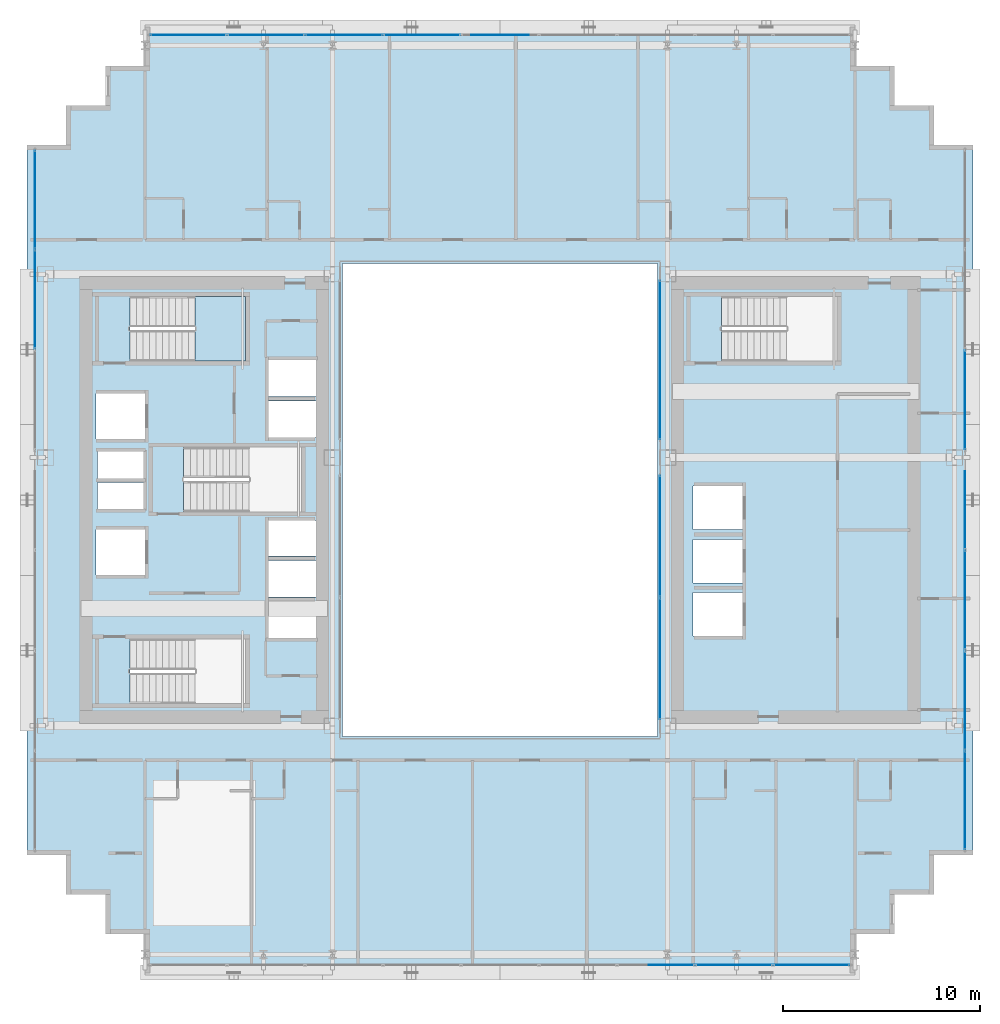
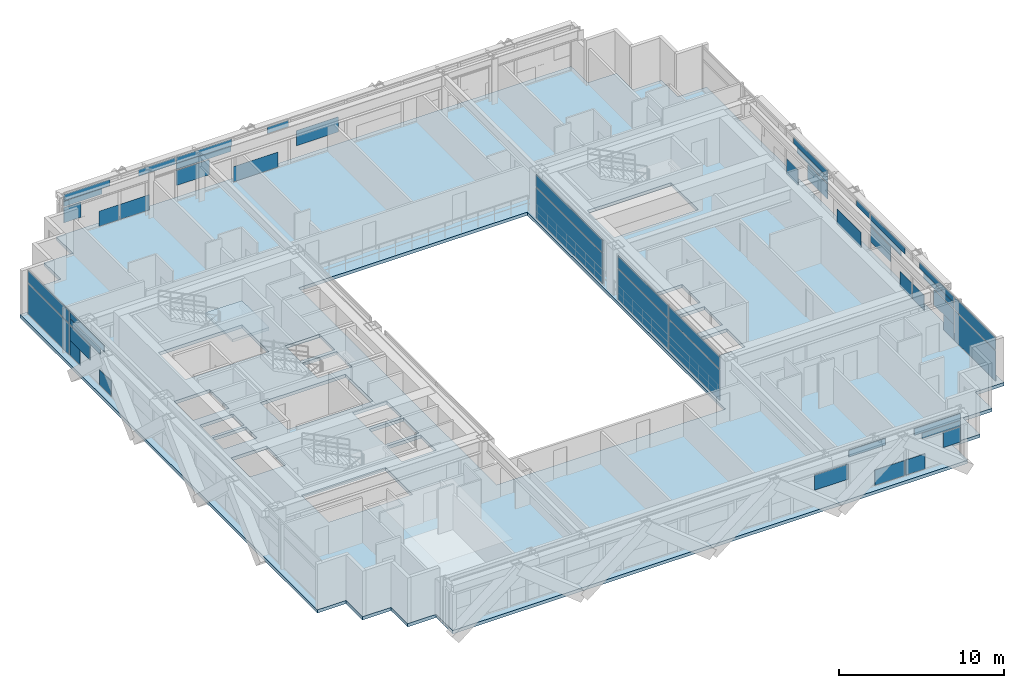
# One storey, part 27 of 39: 49 plates, 2 slabs, 7 elements without a shape of their own.
"""IFC4 building model written with IfcOpenShell, lengths in metres."""

from ifc_helpers import new_model, si_unit, direction, frame, origin, origin_2d, place, context, subcontext, project, spatial, polyline, rectangle, outline, extrude, source, transform, mapped, material, layer, layer_set, type_object, element, aggregate, save


model = new_model("IFC4")

# Units and contexts
model_context = context("Model", 3, precision=1e-05, world=origin(), true_north=direction((0.0, 1.0)))
body_context = subcontext(model_context, "Body", "Model", "MODEL_VIEW")
ifc_project = project(units=[si_unit("LENGTHUNIT", "METRE"), si_unit("AREAUNIT", "SQUARE_METRE"), si_unit("VOLUMEUNIT", "CUBIC_METRE"), si_unit("PLANEANGLEUNIT", "RADIAN"), si_unit("MASSUNIT", "GRAM", prefix="KILO")], contexts=[model_context])

# Site, building, storey
site_placement = place(None, origin())
site = spatial("IfcSite", under=ifc_project, at=site_placement, CompositionType="ELEMENT")
building_placement = place(site_placement, origin())
building = spatial("IfcBuilding", under=site, at=building_placement, Name="Ocotamira Hotel", CompositionType="ELEMENT")
storey_placement = place(building_placement, frame((0.0, 0.0, 126.0)))
storey = spatial("IfcBuildingStorey", under=building, at=storey_placement, Name="L31", CompositionType="ELEMENT", Elevation=126.0)

# Stair, slab
ifc_material_1 = material(Name="Concrete C40/50", Category="concrete")
stair_type = type_object("IfcStairType", Name="ST-CORE-1560", PredefinedType="HALF_TURN_STAIR", material=ifc_material_1)
stair_placement = place(storey_placement, origin())
stair = element("IfcStair", 1, at=stair_placement, inside=storey, type_object=stair_type, Name="L31 Exit Stair ST-2", PredefinedType="HALF_TURN_STAIR")
ifc_layer_1 = layer(ifc_material_1, 0.199951171875)
ifc_layer_set_1 = layer_set([ifc_layer_1], Name="Concrete C40/50")
slab_type_1 = type_object("IfcSlabType", Name="SLB-LAND-200", PredefinedType="LANDING", material=ifc_layer_set_1)
slab_1_placement = place(storey_placement, frame((0.0, 0.0, 1.60009765625)))
slab_1 = element("IfcSlab", 2, at=slab_1_placement, type_object=slab_type_1, Name="ST-2 landing 1", PredefinedType="LANDING", context=body_context, shape_type="SweptSolid", body=[
    extrude(outline(polyline([(16.530029296875, 33.050048828125), (19.090087890625, 33.050048828125), (19.090087890625, 36.330078125), (16.530029296875, 36.330078125), (16.530029296875, 33.050048828125)])), origin(), (0.0, 0.0, 1.0), 0.199951171875),
])
aggregate(stair, [slab_1])

# Slab
ifc_layer_2 = layer(ifc_material_1, 0.239990234375)
ifc_layer_set_2 = layer_set([ifc_layer_2], Name="Concrete C40/50")
slab_type_2 = type_object("IfcSlabType", Name="SLB-TYP-240", PredefinedType="FLOOR", material=ifc_layer_set_2)
slab_2_placement = place(storey_placement, frame((0.0, 0.0, -0.239990234375)))
element("IfcSlab", 3, at=slab_2_placement, inside=storey, type_object=slab_type_2, Name="L31 Structural Floor Slab", PredefinedType="FLOOR", context=body_context, shape_type="SweptSolid", body=[
    extrude(outline(polyline([(14.0, 2.0), (50.0, 2.0), (50.0, 4.0), (52.0, 4.0), (52.0, 6.0), (54.0, 6.0), (54.0, 8.0), (56.0, 8.0), (56.0, 44.0), (54.0, 44.0), (54.0, 46.0), (52.0, 46.0), (52.0, 48.0), (50.0, 48.0), (50.0, 50.0), (14.0, 50.0), (14.0, 48.0), (12.0, 48.0), (12.0, 46.0), (10.0, 46.0), (10.0, 44.0), (8.0, 44.0), (8.0, 8.0), (10.0, 8.0), (10.0, 6.0), (12.0, 6.0), (12.0, 4.0), (14.0, 4.0), (14.0, 2.0)]), holes=[polyline([(24.0, 14.0), (40.0, 14.0), (40.0, 38.0), (24.0, 38.0), (24.0, 14.0)]), polyline([(13.22998046875, 15.669921875), (19.090087890625, 15.669921875), (19.090087890625, 18.949951171875), (13.22998046875, 18.949951171875), (13.22998046875, 15.669921875)]), polyline([(13.22998046875, 33.050048828125), (19.090087890625, 33.050048828125), (19.090087890625, 36.330078125), (13.22998046875, 36.330078125), (13.22998046875, 33.050048828125)]), polyline([(15.9599609375, 25.39990234375), (21.919921875, 25.39990234375), (21.919921875, 28.679931640625), (15.9599609375, 28.679931640625), (15.9599609375, 25.39990234375)]), polyline([(43.22998046875, 33.050048828125), (49.090087890625, 33.050048828125), (49.090087890625, 36.330078125), (43.22998046875, 36.330078125), (43.22998046875, 33.050048828125)]), polyline([(41.800048828125, 19.10009765625), (44.300048828125, 19.10009765625), (44.300048828125, 21.300048828125), (41.800048828125, 21.300048828125), (41.800048828125, 19.10009765625)]), polyline([(41.800048828125, 21.800048828125), (44.300048828125, 21.800048828125), (44.300048828125, 24.0), (41.800048828125, 24.0), (41.800048828125, 21.800048828125)]), polyline([(41.800048828125, 24.5), (44.300048828125, 24.5), (44.300048828125, 26.699951171875), (41.800048828125, 26.699951171875), (41.800048828125, 24.5)]), polyline([(20.25, 19.0), (22.659912109375, 19.0), (22.659912109375, 20.85009765625), (20.25, 20.85009765625), (20.25, 19.0)]), polyline([(20.25, 21.080078125), (22.659912109375, 21.080078125), (22.659912109375, 22.929931640625), (20.25, 22.929931640625), (20.25, 21.080078125)]), polyline([(20.25, 23.159912109375), (22.659912109375, 23.159912109375), (22.659912109375, 24.9599609375), (20.25, 24.9599609375), (20.25, 23.159912109375)]), polyline([(20.25, 29.179931640625), (22.659912109375, 29.179931640625), (22.659912109375, 31.030029296875), (20.25, 31.030029296875), (20.25, 29.179931640625)]), polyline([(20.25, 31.260009765625), (22.659912109375, 31.260009765625), (22.659912109375, 33.110107421875), (20.25, 33.110107421875), (20.25, 31.260009765625)]), polyline([(11.5, 22.199951171875), (14.0, 22.199951171875), (14.0, 24.5), (11.5, 24.5), (11.5, 22.199951171875)]), polyline([(11.5, 29.10009765625), (14.0, 29.10009765625), (14.0, 31.39990234375), (11.5, 31.39990234375), (11.5, 29.10009765625)]), polyline([(11.580078125, 25.550048828125), (13.919921875, 25.550048828125), (13.919921875, 26.89990234375), (11.580078125, 26.89990234375), (11.580078125, 25.550048828125)]), polyline([(11.580078125, 27.10009765625), (13.919921875, 27.10009765625), (13.919921875, 28.449951171875), (11.580078125, 28.449951171875), (11.580078125, 27.10009765625)])]), origin(), (0.0, 0.0, 1.0), 0.239990234375),
])

# Curtain wall, plate
ifc_material_2 = material(Name="Anodised pale-metal aluminium and solar glass", Category="aluminium")
ifc_layer_3 = layer(ifc_material_2, 0.179931640625)
ifc_layer_set_3 = layer_set([ifc_layer_3], Name="Anodised pale-metal aluminium and solar glass")
curtain_wall_type_1 = type_object("IfcCurtainWallType", Name="CW-SYS3-Z2", PredefinedType="NOTDEFINED", material=ifc_layer_set_3)
curtain_wall_1_placement = place(storey_placement, origin())
curtain_wall_1 = element("IfcCurtainWall", 4, at=curtain_wall_1_placement, inside=storey, type_object=curtain_wall_type_1, Name="L31 Curtain Wall CW-3 CW-L31-W", PredefinedType="NOTDEFINED")
ifc_material_3 = material(Name="Double-silver low-E insulated solar glass", Category="glass")
ifc_layer_4 = layer(ifc_material_3, 0.031982421875)
ifc_layer_set_4 = layer_set([ifc_layer_4], Name="Double-silver low-E insulated solar glass")
plate_type = type_object("IfcPlateType", Name="CWP-VISION-32", PredefinedType="CURTAIN_PANEL", material=ifc_layer_set_4)
shared_shape_1 = source(origin(), body_context, "Body", "SweptSolid", [
    extrude(rectangle(XDim=4.9658203125, YDim=0.031982421875, at=origin_2d()), origin(), (0.0, 0.0, 1.0), 2.237548828125),
])
plate_1_placement = place(storey_placement, frame((8.419921875, 41.237060546875, 0.0751953125), z_axis=(0.0, 0.0, 1.0), x_axis=(0.0, 1.0, 0.0)))
plate_1 = element("IfcPlate", 5, at=plate_1_placement, type_object=plate_type, Name="CW-3 panel 7.1", PredefinedType="CURTAIN_PANEL", context=body_context, shape_type="MappedRepresentation", body=[
    mapped(shared_shape_1, transform((0.0, 0.0, 0.0), scale=1.0)),
])

curtain_wall_2_placement = place(storey_placement, origin())
curtain_wall_2 = element("IfcCurtainWall", 6, at=curtain_wall_2_placement, inside=storey, type_object=curtain_wall_type_1, Name="L31 Curtain Wall CW-3 CW-L31-E", PredefinedType="NOTDEFINED")
plate_2_placement = place(storey_placement, frame((55.580078125, 10.762939453125, 0.0751953125), z_axis=(0.0, 0.0, 1.0), x_axis=(0.0, 1.0, 0.0)))
plate_2 = element("IfcPlate", 7, at=plate_2_placement, type_object=plate_type, Name="CW-3 panel 1.1", PredefinedType="CURTAIN_PANEL", context=body_context, shape_type="MappedRepresentation", body=[
    mapped(shared_shape_1, transform((0.0, 0.0, 0.0), scale=1.0)),
])

# Curtain wall, plates
ifc_layer_5 = layer(ifc_material_2, 0.159912109375)
ifc_layer_set_5 = layer_set([ifc_layer_5], Name="Anodised pale-metal aluminium and solar glass")
curtain_wall_type_2 = type_object("IfcCurtainWallType", Name="CW-SYS6-ATR", PredefinedType="NOTDEFINED", material=ifc_layer_set_5)
curtain_wall_3_placement = place(storey_placement, origin())
curtain_wall_3 = element("IfcCurtainWall", 8, at=curtain_wall_3_placement, inside=storey, type_object=curtain_wall_type_2, Name="L31 Curtain Wall CW-6 CW-L31-ATRE1", PredefinedType="NOTDEFINED")
shared_shape_2 = source(origin(), body_context, "Body", "SweptSolid", [
    extrude(rectangle(XDim=6.1298828125, YDim=0.031982421875, at=origin_2d()), origin(), (0.0, 0.0, 1.0), 2.237548828125),
])
plate_3_placement = place(storey_placement, frame((40.1201171875, 17.945068359375, 0.0751953125), z_axis=(0.0, 0.0, 1.0), x_axis=(0.0, 1.0, 0.0)))
plate_3 = element("IfcPlate", 9, at=plate_3_placement, type_object=plate_type, Name="CW-6 panel 1.1", PredefinedType="CURTAIN_PANEL", context=body_context, shape_type="MappedRepresentation", body=[
    mapped(shared_shape_2, transform((0.0, 0.0, 0.0), scale=1.0)),
])
plate_4_placement = place(storey_placement, frame((40.1201171875, 24.155029296875, 0.0751953125), z_axis=(0.0, 0.0, 1.0), x_axis=(0.0, 1.0, 0.0)))
plate_4 = element("IfcPlate", 10, at=plate_4_placement, type_object=plate_type, Name="CW-6 panel 2.1", PredefinedType="CURTAIN_PANEL", context=body_context, shape_type="MappedRepresentation", body=[
    mapped(shared_shape_2, transform((0.0, 0.0, 0.0), scale=1.0)),
])

# Curtain wall, plate
curtain_wall_4_placement = place(storey_placement, origin())
curtain_wall_4 = element("IfcCurtainWall", 11, at=curtain_wall_4_placement, inside=storey, type_object=curtain_wall_type_2, Name="L31 Curtain Wall CW-6 CW-L31-ATRE2", PredefinedType="NOTDEFINED")
shared_shape_3 = source(origin(), body_context, "Body", "SweptSolid", [
    extrude(rectangle(XDim=8.0400390625, YDim=0.031982421875, at=origin_2d()), origin(), (0.0, 0.0, 1.0), 2.237548828125),
])
plate_5_placement = place(storey_placement, frame((40.1201171875, 33.10009765625, 0.0751953125), z_axis=(0.0, 0.0, 1.0), x_axis=(0.0, 1.0, 0.0)))
plate_5 = element("IfcPlate", 12, at=plate_5_placement, type_object=plate_type, Name="CW-6 panel 1.1", PredefinedType="CURTAIN_PANEL", context=body_context, shape_type="MappedRepresentation", body=[
    mapped(shared_shape_3, transform((0.0, 0.0, 0.0), scale=1.0)),
])

curtain_wall_5_placement = place(storey_placement, origin())
curtain_wall_5 = element("IfcCurtainWall", 13, at=curtain_wall_5_placement, inside=storey, type_object=curtain_wall_type_1, Name="L31 Curtain Wall CW-3 CW-L31-S1", PredefinedType="NOTDEFINED")
shared_shape_4 = source(origin(), body_context, "Body", "SweptSolid", [
    extrude(rectangle(XDim=1.184326171875, YDim=0.031982421875, at=origin_2d()), origin(), (0.0, 0.0, 1.0), 1.118896484375),
])
plate_6_placement = place(storey_placement, frame((49.127685546875, 2.419921875, 1.19384765625), z_axis=(0.0, 0.0, 1.0), x_axis=(1.0, 0.0, 0.0)))
plate_6 = element("IfcPlate", 14, at=plate_6_placement, type_object=plate_type, Name="CW-3 panel 9.1.2", PredefinedType="CURTAIN_PANEL", context=body_context, shape_type="MappedRepresentation", body=[
    mapped(shared_shape_4, transform((0.0, 0.0, 0.0), scale=1.0)),
])

curtain_wall_6_placement = place(storey_placement, origin())
curtain_wall_6 = element("IfcCurtainWall", 15, at=curtain_wall_6_placement, inside=storey, type_object=curtain_wall_type_1, Name="L31 Curtain Wall CW-3 CW-L31-N", PredefinedType="NOTDEFINED")
plate_7_placement = place(storey_placement, frame((14.872314453125, 49.580078125, 1.19384765625), z_axis=(0.0, 0.0, 1.0), x_axis=(1.0, 0.0, 0.0)))
plate_7 = element("IfcPlate", 16, at=plate_7_placement, type_object=plate_type, Name="CW-3 panel 1.1.1", PredefinedType="CURTAIN_PANEL", context=body_context, shape_type="MappedRepresentation", body=[
    mapped(shared_shape_4, transform((0.0, 0.0, 0.0), scale=1.0)),
])

# Plate
shared_shape_5 = source(origin(), body_context, "Body", "SweptSolid", [
    extrude(rectangle(XDim=1.37060546875, YDim=0.031982421875, at=origin_2d()), origin(), (0.0, 0.0, 1.0), 1.11865234375),
])
plate_8_placement = place(storey_placement, frame((46.569580078125, 2.419921875, 0.0751953125), z_axis=(0.0, 0.0, 1.0), x_axis=(1.0, 0.0, 0.0)))
plate_8 = element("IfcPlate", 17, at=plate_8_placement, type_object=plate_type, Name="CW-3 panel 9.1.1", PredefinedType="CURTAIN_PANEL", context=body_context, shape_type="MappedRepresentation", body=[
    mapped(shared_shape_5, transform((0.0, 0.0, 0.0), scale=1.0)),
])

plate_9_placement = place(storey_placement, frame((17.430419921875, 49.580078125, 0.0751953125), z_axis=(0.0, 0.0, 1.0), x_axis=(1.0, 0.0, 0.0)))
plate_9 = element("IfcPlate", 18, at=plate_9_placement, type_object=plate_type, Name="CW-3 panel 1.1.2", PredefinedType="CURTAIN_PANEL", context=body_context, shape_type="MappedRepresentation", body=[
    mapped(shared_shape_5, transform((0.0, 0.0, 0.0), scale=1.0)),
])

shared_shape_6 = source(origin(), body_context, "Body", "SweptSolid", [
    extrude(rectangle(XDim=2.676513671875, YDim=0.031982421875, at=origin_2d()), origin(), (0.0, 0.0, 1.0), 0.39453125),
])
plate_10_placement = place(storey_placement, frame((48.381591796875, 2.419921875, 2.387451171875), z_axis=(0.0, 0.0, 1.0), x_axis=(1.0, 0.0, 0.0)))
plate_10 = element("IfcPlate", 19, at=plate_10_placement, type_object=plate_type, Name="CW-3 panel 9.2.2", PredefinedType="CURTAIN_PANEL", context=body_context, shape_type="MappedRepresentation", body=[
    mapped(shared_shape_6, transform((0.0, 0.0, 0.0), scale=1.0)),
])

plate_11_placement = place(storey_placement, frame((15.618408203125, 49.580078125, 2.387451171875), z_axis=(0.0, 0.0, 1.0), x_axis=(1.0, 0.0, 0.0)))
plate_11 = element("IfcPlate", 20, at=plate_11_placement, type_object=plate_type, Name="CW-3 panel 1.2.1", PredefinedType="CURTAIN_PANEL", context=body_context, shape_type="MappedRepresentation", body=[
    mapped(shared_shape_6, transform((0.0, 0.0, 0.0), scale=1.0)),
])

shared_shape_7 = source(origin(), body_context, "Body", "SweptSolid", [
    extrude(rectangle(XDim=3.208740234375, YDim=0.031982421875, at=origin_2d()), origin(), (0.0, 0.0, 1.0), 0.4716796875),
])
plate_12_placement = place(storey_placement, frame((48.115478515625, 2.419921875, 2.813232421875), z_axis=(0.0, 0.0, 1.0), x_axis=(1.0, 0.0, 0.0)))
plate_12 = element("IfcPlate", 21, at=plate_12_placement, type_object=plate_type, Name="CW-3 panel 9.2.1", PredefinedType="CURTAIN_PANEL", context=body_context, shape_type="MappedRepresentation", body=[
    mapped(shared_shape_7, transform((0.0, 0.0, 0.0), scale=1.0)),
])

plate_13_placement = place(storey_placement, frame((15.884521484375, 49.580078125, 2.813232421875), z_axis=(0.0, 0.0, 1.0), x_axis=(1.0, 0.0, 0.0)))
plate_13 = element("IfcPlate", 22, at=plate_13_placement, type_object=plate_type, Name="CW-3 panel 1.2.2", PredefinedType="CURTAIN_PANEL", context=body_context, shape_type="MappedRepresentation", body=[
    mapped(shared_shape_7, transform((0.0, 0.0, 0.0), scale=1.0)),
])

shared_shape_8 = source(origin(), body_context, "Body", "SweptSolid", [
    extrude(rectangle(XDim=2.059326171875, YDim=0.031982421875, at=origin_2d()), origin(), (0.0, 0.0, 1.0), 1.11865234375),
])
plate_14_placement = place(storey_placement, frame((44.774658203125, 2.419921875, 0.0751953125), z_axis=(0.0, 0.0, 1.0), x_axis=(1.0, 0.0, 0.0)))
plate_14 = element("IfcPlate", 23, at=plate_14_placement, type_object=plate_type, Name="CW-3 panel 8.1.1", PredefinedType="CURTAIN_PANEL", context=body_context, shape_type="MappedRepresentation", body=[
    mapped(shared_shape_8, transform((0.0, 0.0, 0.0), scale=1.0)),
])

plate_15_placement = place(storey_placement, frame((19.225341796875, 49.580078125, 0.0751953125), z_axis=(0.0, 0.0, 1.0), x_axis=(1.0, 0.0, 0.0)))
plate_15 = element("IfcPlate", 24, at=plate_15_placement, type_object=plate_type, Name="CW-3 panel 2.1.1", PredefinedType="CURTAIN_PANEL", context=body_context, shape_type="MappedRepresentation", body=[
    mapped(shared_shape_8, transform((0.0, 0.0, 0.0), scale=1.0)),
])

shared_shape_9 = source(origin(), body_context, "Body", "SweptSolid", [
    extrude(rectangle(XDim=2.559814453125, YDim=0.031982421875, at=origin_2d()), origin(), (0.0, 0.0, 1.0), 0.4716796875),
])
plate_16_placement = place(storey_placement, frame((43.208740234375, 2.419921875, 2.813232421875), z_axis=(0.0, 0.0, 1.0), x_axis=(1.0, 0.0, 0.0)))
plate_16 = element("IfcPlate", 25, at=plate_16_placement, type_object=plate_type, Name="CW-3 panel 8.2.1", PredefinedType="CURTAIN_PANEL", context=body_context, shape_type="MappedRepresentation", body=[
    mapped(shared_shape_9, transform((0.0, 0.0, 0.0), scale=1.0)),
])

plate_17_placement = place(storey_placement, frame((20.791259765625, 49.580078125, 2.813232421875), z_axis=(0.0, 0.0, 1.0), x_axis=(1.0, 0.0, 0.0)))
plate_17 = element("IfcPlate", 26, at=plate_17_placement, type_object=plate_type, Name="CW-3 panel 2.2.1", PredefinedType="CURTAIN_PANEL", context=body_context, shape_type="MappedRepresentation", body=[
    mapped(shared_shape_9, transform((0.0, 0.0, 0.0), scale=1.0)),
])

shared_shape_10 = source(origin(), body_context, "Body", "SweptSolid", [
    extrude(rectangle(XDim=2.313232421875, YDim=0.031982421875, at=origin_2d()), origin(), (0.0, 0.0, 1.0), 1.118896484375),
])
plate_18_placement = place(storey_placement, frame((40.6923828125, 2.419921875, 1.19384765625), z_axis=(0.0, 0.0, 1.0), x_axis=(1.0, 0.0, 0.0)))
plate_18 = element("IfcPlate", 27, at=plate_18_placement, type_object=plate_type, Name="CW-3 panel 7.1.1", PredefinedType="CURTAIN_PANEL", context=body_context, shape_type="MappedRepresentation", body=[
    mapped(shared_shape_10, transform((0.0, 0.0, 0.0), scale=1.0)),
])

aggregate(curtain_wall_5, [plate_18, plate_14, plate_16, plate_8, plate_6, plate_12, plate_10])

plate_19_placement = place(storey_placement, frame((23.3076171875, 49.580078125, 1.19384765625), z_axis=(0.0, 0.0, 1.0), x_axis=(1.0, 0.0, 0.0)))
plate_19 = element("IfcPlate", 28, at=plate_19_placement, type_object=plate_type, Name="CW-3 panel 3.1.1", PredefinedType="CURTAIN_PANEL", context=body_context, shape_type="MappedRepresentation", body=[
    mapped(shared_shape_10, transform((0.0, 0.0, 0.0), scale=1.0)),
])

shared_shape_11 = source(origin(), body_context, "Body", "SweptSolid", [
    extrude(rectangle(XDim=3.805419921875, YDim=0.031982421875, at=origin_2d()), origin(), (0.0, 0.0, 1.0), 0.42578125),
])
plate_20_placement = place(storey_placement, frame((24.0537109375, 49.580078125, 2.387451171875), z_axis=(0.0, 0.0, 1.0), x_axis=(1.0, 0.0, 0.0)))
plate_20 = element("IfcPlate", 29, at=plate_20_placement, type_object=plate_type, Name="CW-3 panel 3.2.1", PredefinedType="CURTAIN_PANEL", context=body_context, shape_type="MappedRepresentation", body=[
    mapped(shared_shape_11, transform((0.0, 0.0, 0.0), scale=1.0)),
])

shared_shape_12 = source(origin(), body_context, "Body", "SweptSolid", [
    extrude(rectangle(XDim=3.87548828125, YDim=0.031982421875, at=origin_2d()), origin(), (0.0, 0.0, 1.0), 0.4716796875),
])
plate_21_placement = place(storey_placement, frame((24.0888671875, 49.580078125, 2.813232421875), z_axis=(0.0, 0.0, 1.0), x_axis=(1.0, 0.0, 0.0)))
plate_21 = element("IfcPlate", 30, at=plate_21_placement, type_object=plate_type, Name="CW-3 panel 3.2.2", PredefinedType="CURTAIN_PANEL", context=body_context, shape_type="MappedRepresentation", body=[
    mapped(shared_shape_12, transform((0.0, 0.0, 0.0), scale=1.0)),
])

shared_shape_13 = source(origin(), body_context, "Body", "SweptSolid", [
    extrude(rectangle(XDim=3.148193359375, YDim=0.031982421875, at=origin_2d()), origin(), (0.0, 0.0, 1.0), 1.11865234375),
])
plate_22_placement = place(storey_placement, frame((27.680908203125, 49.580078125, 0.0751953125), z_axis=(0.0, 0.0, 1.0), x_axis=(1.0, 0.0, 0.0)))
plate_22 = element("IfcPlate", 31, at=plate_22_placement, type_object=plate_type, Name="CW-3 panel 4.1.1", PredefinedType="CURTAIN_PANEL", context=body_context, shape_type="MappedRepresentation", body=[
    mapped(shared_shape_13, transform((0.0, 0.0, 0.0), scale=1.0)),
])

shared_shape_14 = source(origin(), body_context, "Body", "SweptSolid", [
    extrude(rectangle(XDim=1.470947265625, YDim=0.031982421875, at=origin_2d()), origin(), (0.0, 0.0, 1.0), 0.4716796875),
])
plate_23_placement = place(storey_placement, frame((29.24658203125, 49.580078125, 2.813232421875), z_axis=(0.0, 0.0, 1.0), x_axis=(1.0, 0.0, 0.0)))
plate_23 = element("IfcPlate", 32, at=plate_23_placement, type_object=plate_type, Name="CW-3 panel 4.2.1", PredefinedType="CURTAIN_PANEL", context=body_context, shape_type="MappedRepresentation", body=[
    mapped(shared_shape_14, transform((0.0, 0.0, 0.0), scale=1.0)),
])

shared_shape_15 = source(origin(), body_context, "Body", "SweptSolid", [
    extrude(rectangle(XDim=2.9287109375, YDim=0.031982421875, at=origin_2d()), origin(), (0.0, 0.0, 1.0), 1.118896484375),
])
plate_24_placement = place(storey_placement, frame((32.0, 49.580078125, 1.19384765625), z_axis=(0.0, 0.0, 1.0), x_axis=(1.0, 0.0, 0.0)))
plate_24 = element("IfcPlate", 33, at=plate_24_placement, type_object=plate_type, Name="CW-3 panel 5.1.1", PredefinedType="CURTAIN_PANEL", context=body_context, shape_type="MappedRepresentation", body=[
    mapped(shared_shape_15, transform((0.0, 0.0, 0.0), scale=1.0)),
])

aggregate(curtain_wall_6, [plate_7, plate_9, plate_11, plate_13, plate_15, plate_17, plate_19, plate_20, plate_21, plate_22, plate_23, plate_24])

shared_shape_16 = source(origin(), body_context, "Body", "SweptSolid", [
    extrude(rectangle(XDim=4.9658203125, YDim=0.031982421875, at=origin_2d()), origin(), (0.0, 0.0, 1.0), 0.8974609375),
])
plate_25_placement = place(storey_placement, frame((8.419921875, 41.237060546875, 2.387451171875), z_axis=(0.0, 0.0, 1.0), x_axis=(0.0, 1.0, 0.0)))
plate_25 = element("IfcPlate", 34, at=plate_25_placement, type_object=plate_type, Name="CW-3 panel 7.2", PredefinedType="CURTAIN_PANEL", context=body_context, shape_type="MappedRepresentation", body=[
    mapped(shared_shape_16, transform((0.0, 0.0, 0.0), scale=1.0)),
])

plate_26_placement = place(storey_placement, frame((55.580078125, 10.762939453125, 2.387451171875), z_axis=(0.0, 0.0, 1.0), x_axis=(0.0, 1.0, 0.0)))
plate_26 = element("IfcPlate", 35, at=plate_26_placement, type_object=plate_type, Name="CW-3 panel 1.2", PredefinedType="CURTAIN_PANEL", context=body_context, shape_type="MappedRepresentation", body=[
    mapped(shared_shape_16, transform((0.0, 0.0, 0.0), scale=1.0)),
])

shared_shape_17 = source(origin(), body_context, "Body", "SweptSolid", [
    extrude(rectangle(XDim=1.240234375, YDim=0.031982421875, at=origin_2d()), origin(), (0.0, 0.0, 1.0), 1.11865234375),
])
plate_27_placement = place(storey_placement, frame((8.419921875, 38.05419921875, 0.0751953125), z_axis=(0.0, 0.0, 1.0), x_axis=(0.0, 1.0, 0.0)))
plate_27 = element("IfcPlate", 36, at=plate_27_placement, type_object=plate_type, Name="CW-3 panel 6.1.3", PredefinedType="CURTAIN_PANEL", context=body_context, shape_type="MappedRepresentation", body=[
    mapped(shared_shape_17, transform((0.0, 0.0, 0.0), scale=1.0)),
])

plate_28_placement = place(storey_placement, frame((55.580078125, 13.94580078125, 0.0751953125), z_axis=(0.0, 0.0, 1.0), x_axis=(0.0, 1.0, 0.0)))
plate_28 = element("IfcPlate", 37, at=plate_28_placement, type_object=plate_type, Name="CW-3 panel 2.1.1", PredefinedType="CURTAIN_PANEL", context=body_context, shape_type="MappedRepresentation", body=[
    mapped(shared_shape_17, transform((0.0, 0.0, 0.0), scale=1.0)),
])

shared_shape_18 = source(origin(), body_context, "Body", "SweptSolid", [
    extrude(rectangle(XDim=2.426513671875, YDim=0.031982421875, at=origin_2d()), origin(), (0.0, 0.0, 1.0), 1.118896484375),
])
plate_29_placement = place(storey_placement, frame((8.419921875, 37.461181640625, 1.19384765625), z_axis=(0.0, 0.0, 1.0), x_axis=(0.0, 1.0, 0.0)))
plate_29 = element("IfcPlate", 38, at=plate_29_placement, type_object=plate_type, Name="CW-3 panel 6.1.2", PredefinedType="CURTAIN_PANEL", context=body_context, shape_type="MappedRepresentation", body=[
    mapped(shared_shape_18, transform((0.0, 0.0, 0.0), scale=1.0)),
])

plate_30_placement = place(storey_placement, frame((55.580078125, 14.538818359375, 1.19384765625), z_axis=(0.0, 0.0, 1.0), x_axis=(0.0, 1.0, 0.0)))
plate_30 = element("IfcPlate", 39, at=plate_30_placement, type_object=plate_type, Name="CW-3 panel 2.1.2", PredefinedType="CURTAIN_PANEL", context=body_context, shape_type="MappedRepresentation", body=[
    mapped(shared_shape_18, transform((0.0, 0.0, 0.0), scale=1.0)),
])

shared_shape_19 = source(origin(), body_context, "Body", "SweptSolid", [
    extrude(rectangle(XDim=1.413330078125, YDim=0.031982421875, at=origin_2d()), origin(), (0.0, 0.0, 1.0), 1.11865234375),
])
plate_31_placement = place(storey_placement, frame((8.419921875, 34.375244140625, 0.0751953125), z_axis=(0.0, 0.0, 1.0), x_axis=(0.0, 1.0, 0.0)))
plate_31 = element("IfcPlate", 40, at=plate_31_placement, type_object=plate_type, Name="CW-3 panel 6.1.1", PredefinedType="CURTAIN_PANEL", context=body_context, shape_type="MappedRepresentation", body=[
    mapped(shared_shape_19, transform((0.0, 0.0, 0.0), scale=1.0)),
])

plate_32_placement = place(storey_placement, frame((55.580078125, 17.624755859375, 0.0751953125), z_axis=(0.0, 0.0, 1.0), x_axis=(0.0, 1.0, 0.0)))
plate_32 = element("IfcPlate", 41, at=plate_32_placement, type_object=plate_type, Name="CW-3 panel 2.1.3", PredefinedType="CURTAIN_PANEL", context=body_context, shape_type="MappedRepresentation", body=[
    mapped(shared_shape_19, transform((0.0, 0.0, 0.0), scale=1.0)),
])

shared_shape_20 = source(origin(), body_context, "Body", "SweptSolid", [
    extrude(rectangle(XDim=3.69189453125, YDim=0.031982421875, at=origin_2d()), origin(), (0.0, 0.0, 1.0), 0.414306640625),
])
plate_33_placement = place(storey_placement, frame((8.419921875, 36.828369140625, 2.3876953125), z_axis=(0.0, 0.0, 1.0), x_axis=(0.0, 1.0, 0.0)))
plate_33 = element("IfcPlate", 42, at=plate_33_placement, type_object=plate_type, Name="CW-3 panel 6.2.2", PredefinedType="CURTAIN_PANEL", context=body_context, shape_type="MappedRepresentation", body=[
    mapped(shared_shape_20, transform((0.0, 0.0, 0.0), scale=1.0)),
])

plate_34_placement = place(storey_placement, frame((55.580078125, 15.171630859375, 2.3876953125), z_axis=(0.0, 0.0, 1.0), x_axis=(0.0, 1.0, 0.0)))
plate_34 = element("IfcPlate", 43, at=plate_34_placement, type_object=plate_type, Name="CW-3 panel 2.2.1", PredefinedType="CURTAIN_PANEL", context=body_context, shape_type="MappedRepresentation", body=[
    mapped(shared_shape_20, transform((0.0, 0.0, 0.0), scale=1.0)),
])

shared_shape_21 = source(origin(), body_context, "Body", "SweptSolid", [
    extrude(rectangle(XDim=4.16748046875, YDim=0.031982421875, at=origin_2d()), origin(), (0.0, 0.0, 1.0), 0.44873046875),
])
plate_35_placement = place(storey_placement, frame((8.419921875, 36.590576171875, 2.836181640625), z_axis=(0.0, 0.0, 1.0), x_axis=(0.0, 1.0, 0.0)))
plate_35 = element("IfcPlate", 44, at=plate_35_placement, type_object=plate_type, Name="CW-3 panel 6.2.1", PredefinedType="CURTAIN_PANEL", context=body_context, shape_type="MappedRepresentation", body=[
    mapped(shared_shape_21, transform((0.0, 0.0, 0.0), scale=1.0)),
])

aggregate(curtain_wall_1, [plate_31, plate_29, plate_27, plate_35, plate_33, plate_1, plate_25])

plate_36_placement = place(storey_placement, frame((55.580078125, 15.409423828125, 2.836181640625), z_axis=(0.0, 0.0, 1.0), x_axis=(0.0, 1.0, 0.0)))
plate_36 = element("IfcPlate", 45, at=plate_36_placement, type_object=plate_type, Name="CW-3 panel 2.2.2", PredefinedType="CURTAIN_PANEL", context=body_context, shape_type="MappedRepresentation", body=[
    mapped(shared_shape_21, transform((0.0, 0.0, 0.0), scale=1.0)),
])

shared_shape_22 = source(origin(), body_context, "Body", "SweptSolid", [
    extrude(rectangle(XDim=1.40380859375, YDim=0.031982421875, at=origin_2d()), origin(), (0.0, 0.0, 1.0), 1.11865234375),
])
plate_37_placement = place(storey_placement, frame((55.580078125, 19.11328125, 0.0751953125), z_axis=(0.0, 0.0, 1.0), x_axis=(0.0, 1.0, 0.0)))
plate_37 = element("IfcPlate", 46, at=plate_37_placement, type_object=plate_type, Name="CW-3 panel 3.1.1", PredefinedType="CURTAIN_PANEL", context=body_context, shape_type="MappedRepresentation", body=[
    mapped(shared_shape_22, transform((0.0, 0.0, 0.0), scale=1.0)),
])

plate_38_placement = place(storey_placement, frame((55.580078125, 32.88671875, 0.0751953125), z_axis=(0.0, 0.0, 1.0), x_axis=(0.0, 1.0, 0.0)))
plate_38 = element("IfcPlate", 47, at=plate_38_placement, type_object=plate_type, Name="CW-3 panel 5.1.2", PredefinedType="CURTAIN_PANEL", context=body_context, shape_type="MappedRepresentation", body=[
    mapped(shared_shape_22, transform((0.0, 0.0, 0.0), scale=1.0)),
])

shared_shape_23 = source(origin(), body_context, "Body", "SweptSolid", [
    extrude(rectangle(XDim=2.404296875, YDim=0.031982421875, at=origin_2d()), origin(), (0.0, 0.0, 1.0), 1.118896484375),
])
plate_39_placement = place(storey_placement, frame((55.580078125, 22.183349609375, 1.19384765625), z_axis=(0.0, 0.0, 1.0), x_axis=(0.0, 1.0, 0.0)))
plate_39 = element("IfcPlate", 48, at=plate_39_placement, type_object=plate_type, Name="CW-3 panel 3.1.2", PredefinedType="CURTAIN_PANEL", context=body_context, shape_type="MappedRepresentation", body=[
    mapped(shared_shape_23, transform((0.0, 0.0, 0.0), scale=1.0)),
])

plate_40_placement = place(storey_placement, frame((55.580078125, 29.816650390625, 1.19384765625), z_axis=(0.0, 0.0, 1.0), x_axis=(0.0, 1.0, 0.0)))
plate_40 = element("IfcPlate", 49, at=plate_40_placement, type_object=plate_type, Name="CW-3 panel 5.1.1", PredefinedType="CURTAIN_PANEL", context=body_context, shape_type="MappedRepresentation", body=[
    mapped(shared_shape_23, transform((0.0, 0.0, 0.0), scale=1.0)),
])

shared_shape_24 = source(origin(), body_context, "Body", "SweptSolid", [
    extrude(rectangle(XDim=4.17724609375, YDim=0.031982421875, at=origin_2d()), origin(), (0.0, 0.0, 1.0), 0.44873046875),
])
plate_41_placement = place(storey_placement, frame((55.580078125, 21.32861328125, 2.836181640625), z_axis=(0.0, 0.0, 1.0), x_axis=(0.0, 1.0, 0.0)))
plate_41 = element("IfcPlate", 50, at=plate_41_placement, type_object=plate_type, Name="CW-3 panel 3.2.1", PredefinedType="CURTAIN_PANEL", context=body_context, shape_type="MappedRepresentation", body=[
    mapped(shared_shape_24, transform((0.0, 0.0, 0.0), scale=1.0)),
])

plate_42_placement = place(storey_placement, frame((55.580078125, 30.67138671875, 2.836181640625), z_axis=(0.0, 0.0, 1.0), x_axis=(0.0, 1.0, 0.0)))
plate_42 = element("IfcPlate", 51, at=plate_42_placement, type_object=plate_type, Name="CW-3 panel 5.2.2", PredefinedType="CURTAIN_PANEL", context=body_context, shape_type="MappedRepresentation", body=[
    mapped(shared_shape_24, transform((0.0, 0.0, 0.0), scale=1.0)),
])

shared_shape_25 = source(origin(), body_context, "Body", "SweptSolid", [
    extrude(rectangle(XDim=3.70166015625, YDim=0.031982421875, at=origin_2d()), origin(), (0.0, 0.0, 1.0), 0.414306640625),
])
plate_43_placement = place(storey_placement, frame((55.580078125, 21.56640625, 2.3876953125), z_axis=(0.0, 0.0, 1.0), x_axis=(0.0, 1.0, 0.0)))
plate_43 = element("IfcPlate", 52, at=plate_43_placement, type_object=plate_type, Name="CW-3 panel 3.2.2", PredefinedType="CURTAIN_PANEL", context=body_context, shape_type="MappedRepresentation", body=[
    mapped(shared_shape_25, transform((0.0, 0.0, 0.0), scale=1.0)),
])

plate_44_placement = place(storey_placement, frame((55.580078125, 30.43359375, 2.3876953125), z_axis=(0.0, 0.0, 1.0), x_axis=(0.0, 1.0, 0.0)))
plate_44 = element("IfcPlate", 53, at=plate_44_placement, type_object=plate_type, Name="CW-3 panel 5.2.1", PredefinedType="CURTAIN_PANEL", context=body_context, shape_type="MappedRepresentation", body=[
    mapped(shared_shape_25, transform((0.0, 0.0, 0.0), scale=1.0)),
])

shared_shape_26 = source(origin(), body_context, "Body", "SweptSolid", [
    extrude(rectangle(XDim=2.897216796875, YDim=0.031982421875, at=origin_2d()), origin(), (0.0, 0.0, 1.0), 1.11865234375),
])
plate_45_placement = place(storey_placement, frame((55.580078125, 26.0, 0.0751953125), z_axis=(0.0, 0.0, 1.0), x_axis=(0.0, 1.0, 0.0)))
plate_45 = element("IfcPlate", 54, at=plate_45_placement, type_object=plate_type, Name="CW-3 panel 4.1.1", PredefinedType="CURTAIN_PANEL", context=body_context, shape_type="MappedRepresentation", body=[
    mapped(shared_shape_26, transform((0.0, 0.0, 0.0), scale=1.0)),
])

shared_shape_27 = source(origin(), body_context, "Body", "SweptSolid", [
    extrude(rectangle(XDim=1.629638671875, YDim=0.031982421875, at=origin_2d()), origin(), (0.0, 0.0, 1.0), 0.44873046875),
])
plate_46_placement = place(storey_placement, frame((55.580078125, 24.31201171875, 2.836181640625), z_axis=(0.0, 0.0, 1.0), x_axis=(0.0, 1.0, 0.0)))
plate_46 = element("IfcPlate", 55, at=plate_46_placement, type_object=plate_type, Name="CW-3 panel 4.2.1", PredefinedType="CURTAIN_PANEL", context=body_context, shape_type="MappedRepresentation", body=[
    mapped(shared_shape_27, transform((0.0, 0.0, 0.0), scale=1.0)),
])

aggregate(curtain_wall_2, [plate_2, plate_26, plate_28, plate_30, plate_32, plate_34, plate_36, plate_37, plate_39, plate_41, plate_43, plate_45, plate_46, plate_40, plate_38, plate_44, plate_42])

shared_shape_28 = source(origin(), body_context, "Body", "SweptSolid", [
    extrude(rectangle(XDim=6.1298828125, YDim=0.031982421875, at=origin_2d()), origin(), (0.0, 0.0, 1.0), 0.8974609375),
])
plate_47_placement = place(storey_placement, frame((40.1201171875, 17.945068359375, 2.387451171875), z_axis=(0.0, 0.0, 1.0), x_axis=(0.0, 1.0, 0.0)))
plate_47 = element("IfcPlate", 56, at=plate_47_placement, type_object=plate_type, Name="CW-6 panel 1.2", PredefinedType="CURTAIN_PANEL", context=body_context, shape_type="MappedRepresentation", body=[
    mapped(shared_shape_28, transform((0.0, 0.0, 0.0), scale=1.0)),
])

plate_48_placement = place(storey_placement, frame((40.1201171875, 24.155029296875, 2.387451171875), z_axis=(0.0, 0.0, 1.0), x_axis=(0.0, 1.0, 0.0)))
plate_48 = element("IfcPlate", 57, at=plate_48_placement, type_object=plate_type, Name="CW-6 panel 2.2", PredefinedType="CURTAIN_PANEL", context=body_context, shape_type="MappedRepresentation", body=[
    mapped(shared_shape_28, transform((0.0, 0.0, 0.0), scale=1.0)),
])

aggregate(curtain_wall_3, [plate_3, plate_47, plate_4, plate_48])

shared_shape_29 = source(origin(), body_context, "Body", "SweptSolid", [
    extrude(rectangle(XDim=8.0400390625, YDim=0.031982421875, at=origin_2d()), origin(), (0.0, 0.0, 1.0), 0.8974609375),
])
plate_49_placement = place(storey_placement, frame((40.1201171875, 33.10009765625, 2.387451171875), z_axis=(0.0, 0.0, 1.0), x_axis=(0.0, 1.0, 0.0)))
plate_49 = element("IfcPlate", 58, at=plate_49_placement, type_object=plate_type, Name="CW-6 panel 1.2", PredefinedType="CURTAIN_PANEL", context=body_context, shape_type="MappedRepresentation", body=[
    mapped(shared_shape_29, transform((0.0, 0.0, 0.0), scale=1.0)),
])

aggregate(curtain_wall_4, [plate_5, plate_49])

save(model, "model.ifc")
